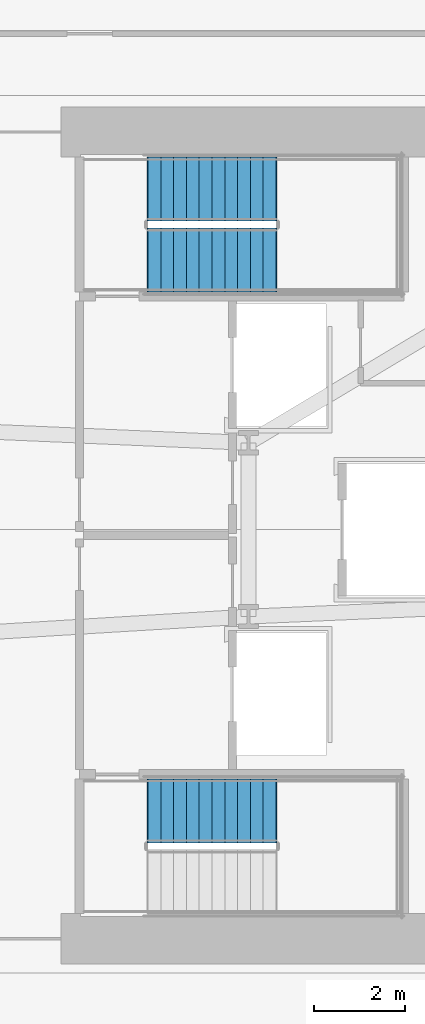
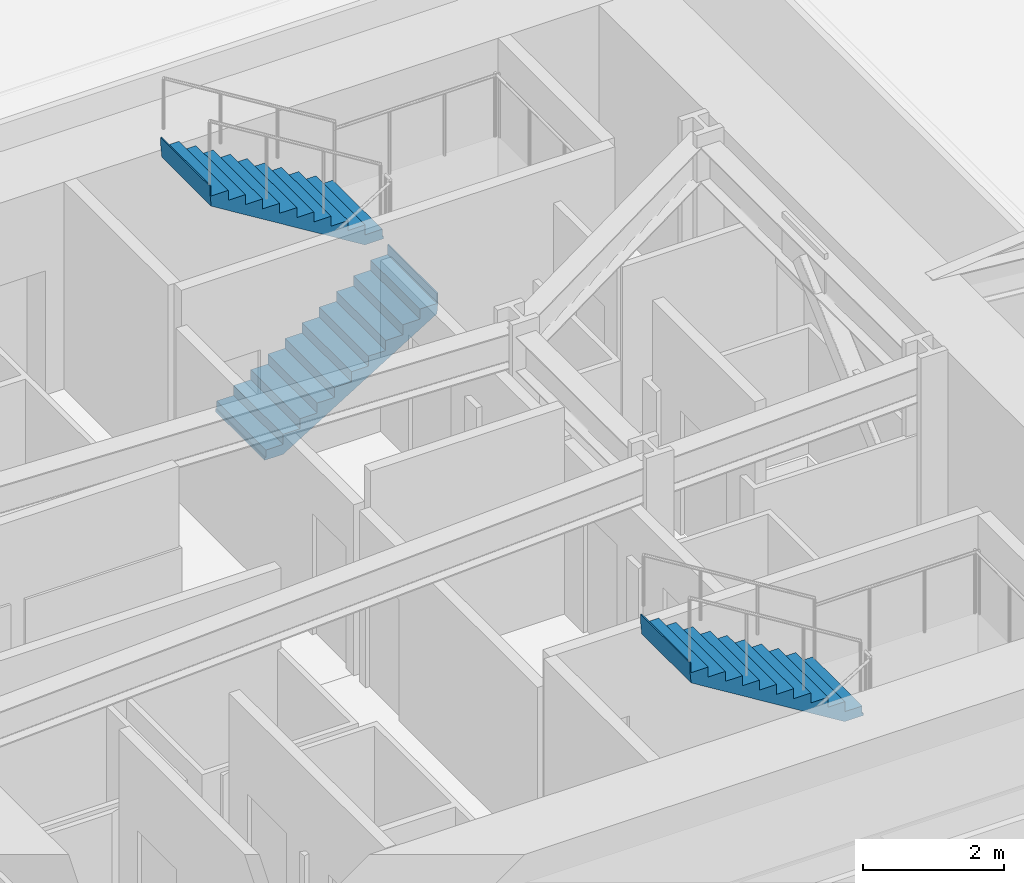
# One storey, part 11 of 18: 3 stair flights, 2 elements without a shape of their own.
"""IFC4 building model written with IfcOpenShell, lengths in metres."""

from ifc_helpers import new_model, si_unit, direction, frame, origin, place, context, subcontext, project, spatial, polyline, outline, extrude, material, type_object, element, aggregate, save


model = new_model("IFC4")

# Units and contexts
model_context = context("Model", 3, precision=1e-05, world=origin(), true_north=direction((0.0, 1.0)))
body_context = subcontext(model_context, "Body", "Model", "MODEL_VIEW")
ifc_project = project(units=[si_unit("LENGTHUNIT", "METRE"), si_unit("AREAUNIT", "SQUARE_METRE"), si_unit("VOLUMEUNIT", "CUBIC_METRE"), si_unit("PLANEANGLEUNIT", "RADIAN"), si_unit("MASSUNIT", "GRAM", prefix="KILO")], contexts=[model_context])

# Site, building, storey
site_placement = place(None, origin())
site = spatial("IfcSite", under=ifc_project, at=site_placement, CompositionType="ELEMENT")
building_placement = place(site_placement, origin())
building = spatial("IfcBuilding", under=site, at=building_placement, Name="Valkerne Bourse Tower", CompositionType="ELEMENT")
storey_placement = place(building_placement, frame((0.0, 0.0, 69.60009765625)))
storey = spatial("IfcBuildingStorey", under=building, at=storey_placement, Name="L17", CompositionType="ELEMENT", Elevation=69.60009765625)

# Stair, stair flight
ifc_material = material(Name="Concrete C40/50", Category="concrete")
stair_type = type_object("IfcStairType", Name="ST-CORE-1400", PredefinedType="HALF_TURN_STAIR", material=ifc_material)
stair_1_placement = place(storey_placement, origin())
stair_1 = element("IfcStair", 1, at=stair_1_placement, inside=storey, type_object=stair_type, Name="L17 ST-1", PredefinedType="HALF_TURN_STAIR")
stair_flight_type = type_object("IfcStairFlightType", Name="STF-CORE-1400", PredefinedType="STRAIGHT", material=ifc_material)
stair_flight_1_placement = place(storey_placement, frame((50.949951171875, 20.85009765625, 1.89990234375), z_axis=(0.0, 0.0, 1.0), x_axis=(-1.0, 0.0, 0.0)))
stair_flight_1 = element("IfcStairFlight", 2, at=stair_flight_1_placement, type_object=stair_flight_type, Name="ST-1 flight 2", NumberOfRisers=11, NumberOfTreads=10, PredefinedType="STRAIGHT", RiserHeight=0.172727273, TreadLength=0.28, context=body_context, shape_type="SweptSolid", body=[
    extrude(outline(polyline([(-0.02001953125, 0.0), (-0.02001953125, 0.044921875), (0.0, 0.044921875), (0.0, 0.172607421875), (0.280029296875, 0.172607421875), (0.280029296875, 0.345458984375), (0.56005859375, 0.345458984375), (0.56005859375, 0.51806640625), (0.840087890625, 0.51806640625), (0.840087890625, 0.69091796875), (1.1201171875, 0.69091796875), (1.1201171875, 0.863525390625), (1.39990234375, 0.863525390625), (1.39990234375, 1.036376953125), (1.679931640625, 1.036376953125), (1.679931640625, 1.208984375), (1.9599609375, 1.208984375), (1.9599609375, 1.3818359375), (2.239990234375, 1.3818359375), (2.239990234375, 1.554443359375), (2.52001953125, 1.554443359375), (2.52001953125, 1.727294921875), (2.800048828125, 1.727294921875), (2.800048828125, 1.89990234375), (2.820068359375, 1.89990234375), (2.820068359375, 1.780029296875), (2.800048828125, 1.551025390625), (0.285400390625, 0.0), (-0.02001953125, 0.0)])), frame((0.0, 0.699951171875, 0.0), z_axis=(0.0, -1.0, 0.0), x_axis=(1.0, 0.0, 0.0)), (0.0, 0.0, 1.0), 1.39990234375),
])
aggregate(stair_1, [stair_flight_1])

# Stair, stair flights
stair_2_placement = place(storey_placement, origin())
stair_2 = element("IfcStair", 3, at=stair_2_placement, inside=storey, type_object=stair_type, Name="L17 ST-2", PredefinedType="HALF_TURN_STAIR")
stair_flight_2_placement = place(storey_placement, frame((48.14990234375, 32.89990234375, 0.0), z_axis=(0.0, 0.0, 1.0), x_axis=(1.0, 0.0, 0.0)))
stair_flight_2 = element("IfcStairFlight", 4, at=stair_flight_2_placement, type_object=stair_flight_type, Name="ST-2 flight 1", NumberOfRisers=11, NumberOfTreads=10, PredefinedType="STRAIGHT", RiserHeight=0.172727273, TreadLength=0.28, context=body_context, shape_type="SweptSolid", body=[
    extrude(outline(polyline([(-0.02001953125, 0.0), (-0.02001953125, 0.044921875), (0.0, 0.044921875), (0.0, 0.172607421875), (0.280029296875, 0.172607421875), (0.280029296875, 0.345458984375), (0.56005859375, 0.345458984375), (0.56005859375, 0.51806640625), (0.840087890625, 0.51806640625), (0.840087890625, 0.69091796875), (1.1201171875, 0.69091796875), (1.1201171875, 0.863525390625), (1.39990234375, 0.863525390625), (1.39990234375, 1.036376953125), (1.679931640625, 1.036376953125), (1.679931640625, 1.208984375), (1.9599609375, 1.208984375), (1.9599609375, 1.3818359375), (2.239990234375, 1.3818359375), (2.239990234375, 1.554443359375), (2.52001953125, 1.554443359375), (2.52001953125, 1.727294921875), (2.800048828125, 1.727294921875), (2.800048828125, 1.89990234375), (2.820068359375, 1.89990234375), (2.820068359375, 1.780029296875), (2.800048828125, 1.551025390625), (0.285400390625, 0.0), (-0.02001953125, 0.0)])), frame((0.0, 0.699951171875, 0.0), z_axis=(0.0, -1.0, 0.0), x_axis=(1.0, 0.0, 0.0)), (0.0, 0.0, 1.0), 1.39990234375),
])
stair_flight_3_placement = place(storey_placement, frame((50.949951171875, 34.449951171875, 1.89990234375), z_axis=(0.0, 0.0, 1.0), x_axis=(-1.0, 0.0, 0.0)))
stair_flight_3 = element("IfcStairFlight", 5, at=stair_flight_3_placement, type_object=stair_flight_type, Name="ST-2 flight 2", NumberOfRisers=11, NumberOfTreads=10, PredefinedType="STRAIGHT", RiserHeight=0.172727273, TreadLength=0.28, context=body_context, shape_type="SweptSolid", body=[
    extrude(outline(polyline([(-0.02001953125, 0.0), (-0.02001953125, 0.044921875), (0.0, 0.044921875), (0.0, 0.172607421875), (0.280029296875, 0.172607421875), (0.280029296875, 0.345458984375), (0.56005859375, 0.345458984375), (0.56005859375, 0.51806640625), (0.840087890625, 0.51806640625), (0.840087890625, 0.69091796875), (1.1201171875, 0.69091796875), (1.1201171875, 0.863525390625), (1.39990234375, 0.863525390625), (1.39990234375, 1.036376953125), (1.679931640625, 1.036376953125), (1.679931640625, 1.208984375), (1.9599609375, 1.208984375), (1.9599609375, 1.3818359375), (2.239990234375, 1.3818359375), (2.239990234375, 1.554443359375), (2.52001953125, 1.554443359375), (2.52001953125, 1.727294921875), (2.800048828125, 1.727294921875), (2.800048828125, 1.89990234375), (2.820068359375, 1.89990234375), (2.820068359375, 1.780029296875), (2.800048828125, 1.551025390625), (0.285400390625, 0.0), (-0.02001953125, 0.0)])), frame((0.0, 0.699951171875, 0.0), z_axis=(0.0, -1.0, 0.0), x_axis=(1.0, 0.0, 0.0)), (0.0, 0.0, 1.0), 1.39990234375),
])
aggregate(stair_2, [stair_flight_2, stair_flight_3])

save(model, "model.ifc")
